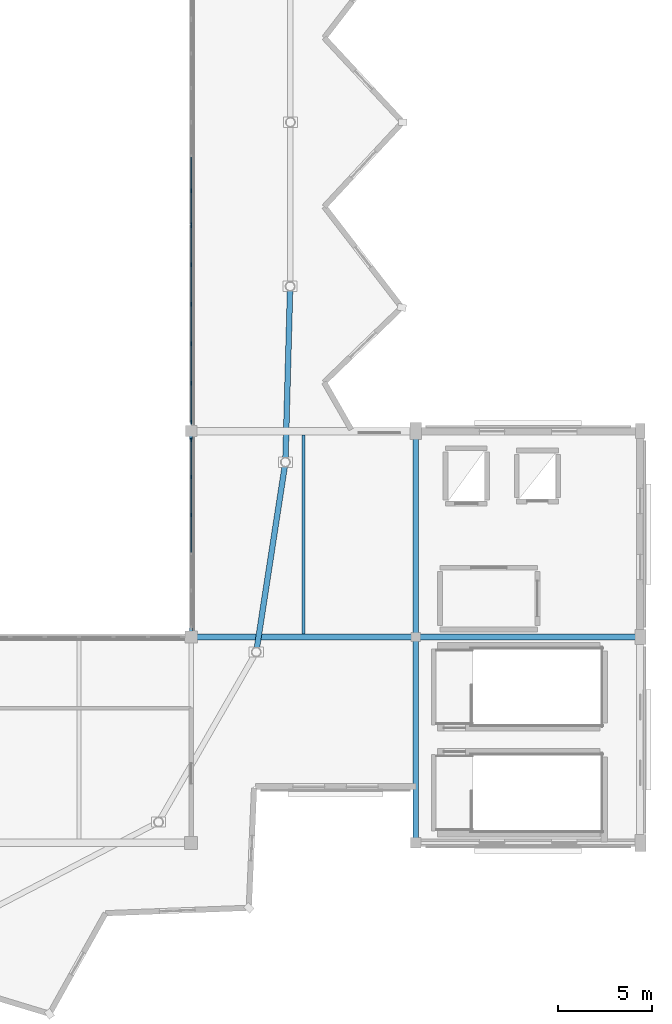
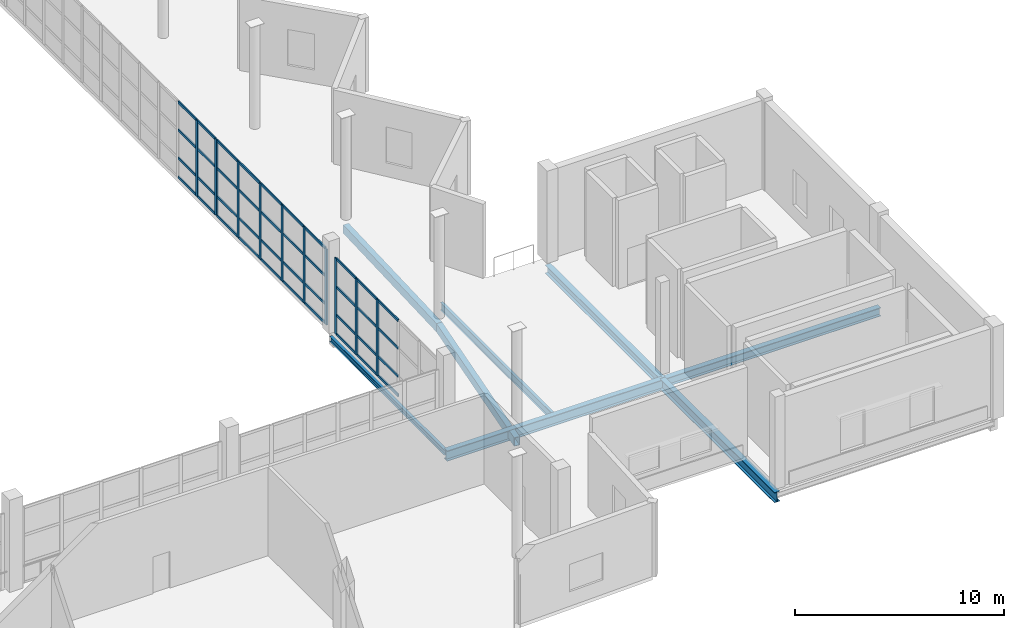
# One storey, part 19 of 49: 51 members, 8 beams, 3 elements without a shape of their own.
"""IFC4 building model written with IfcOpenShell, lengths in metres."""

from ifc_helpers import new_model, si_unit, direction, frame, origin, origin_2d, place, context, subcontext, project, spatial, rectangle, hollow_rectangle, i_section, extrude, material, material_profile, profile_set, type_object, element, aggregate, save


model = new_model("IFC4")

# Units and contexts
model_context = context("Model", 3, precision=1e-05, world=origin(), true_north=direction((0.0, 1.0)))
body_context = subcontext(model_context, "Body", "Model", "MODEL_VIEW")
ifc_project = project(units=[si_unit("LENGTHUNIT", "METRE"), si_unit("AREAUNIT", "SQUARE_METRE"), si_unit("VOLUMEUNIT", "CUBIC_METRE"), si_unit("PLANEANGLEUNIT", "RADIAN"), si_unit("MASSUNIT", "GRAM", prefix="KILO")], contexts=[model_context])

# Site, building, storey
site_placement = place(None, origin())
site = spatial("IfcSite", under=ifc_project, at=site_placement, CompositionType="ELEMENT")
building_placement = place(site_placement, origin())
building = spatial("IfcBuilding", under=site, at=building_placement, Name="Luwafu Chhajja Arena", CompositionType="ELEMENT")
storey_placement = place(building_placement, frame((0.0, 0.0, 24.300048828125)))
storey = spatial("IfcBuildingStorey", under=building, at=storey_placement, Name="L05", CompositionType="ELEMENT", Elevation=24.300048828125)

# Curtain wall, members
ifc_material_1 = material(Name="Anodised bronze aluminium", Category="aluminium")
curtain_wall_type = type_object("IfcCurtainWallType", Name="VIP Club Terrace Curtain Wall", PredefinedType="USERDEFINED", material=ifc_material_1)
curtain_wall_1_placement = place(storey_placement, origin())
curtain_wall_1 = element("IfcCurtainWall", 1, at=curtain_wall_1_placement, inside=storey, type_object=curtain_wall_type, Name="L05 Bowl Viewing Curtain Wall CWR-L05-20", ObjectType="CURTAIN WALL", PredefinedType="USERDEFINED")
ifc_material_profile_1 = material_profile(ifc_material_1, rectangle(XDim=0.06494140625, YDim=0.199951171875, at=origin_2d()), Name="CWM 65x200")
ifc_profile_set_1 = profile_set([ifc_material_profile_1], Name="Anodised bronze aluminium")
member_type_1 = type_object("IfcMemberType", Name="Bronze Curtain Wall Mullion 65x200", PredefinedType="MULLION", material=ifc_profile_set_1)
member_1_placement = place(storey_placement, frame((140.0, 28.52197265625, 0.0), z_axis=(0.0, 0.0, 1.0), x_axis=(-1.0, 0.0, 0.0)))
member_1 = element("IfcMember", 2, at=member_1_placement, type_object=member_type_1, Name="CW-10 mullion 4", PredefinedType="MULLION", context=body_context, shape_type="SweptSolid", body=[
    extrude(rectangle(XDim=0.06494140625, YDim=0.199951171875, at=origin_2d()), origin(), (0.0, 0.0, 1.0), 4.449951171875),
])
member_2_placement = place(storey_placement, frame((140.0, 30.541015625, 0.0), z_axis=(0.0, 0.0, 1.0), x_axis=(-1.0, 0.0, 0.0)))
member_2 = element("IfcMember", 3, at=member_2_placement, type_object=member_type_1, Name="CW-10 mullion 5", PredefinedType="MULLION", context=body_context, shape_type="SweptSolid", body=[
    extrude(rectangle(XDim=0.06494140625, YDim=0.199951171875, at=origin_2d()), origin(), (0.0, 0.0, 1.0), 4.449951171875),
])
member_3_placement = place(storey_placement, frame((140.0, 32.527587890625, 0.0), z_axis=(0.0, 0.0, 1.0), x_axis=(-1.0, 0.0, 0.0)))
member_3 = element("IfcMember", 4, at=member_3_placement, type_object=member_type_1, Name="CW-10 mullion 6", PredefinedType="MULLION", context=body_context, shape_type="SweptSolid", body=[
    extrude(rectangle(XDim=0.06494140625, YDim=0.199951171875, at=origin_2d()), origin(), (0.0, 0.0, 1.0), 4.449951171875),
])

curtain_wall_2_placement = place(storey_placement, origin())
curtain_wall_2 = element("IfcCurtainWall", 5, at=curtain_wall_2_placement, inside=storey, type_object=curtain_wall_type, Name="L05 Bowl Viewing Curtain Wall CWR-L05-21", ObjectType="CURTAIN WALL", PredefinedType="USERDEFINED")
member_4_placement = place(storey_placement, frame((140.0, 33.472412109375, 0.0), z_axis=(0.0, 0.0, 1.0), x_axis=(-1.0, 0.0, 0.0)))
member_4 = element("IfcMember", 6, at=member_4_placement, type_object=member_type_1, Name="CW-10 mullion 1", PredefinedType="MULLION", context=body_context, shape_type="SweptSolid", body=[
    extrude(rectangle(XDim=0.06494140625, YDim=0.199951171875, at=origin_2d()), origin(), (0.0, 0.0, 1.0), 4.449951171875),
])
member_5_placement = place(storey_placement, frame((140.0, 35.552001953125, 0.0), z_axis=(0.0, 0.0, 1.0), x_axis=(-1.0, 0.0, 0.0)))
member_5 = element("IfcMember", 7, at=member_5_placement, type_object=member_type_1, Name="CW-10 mullion 2", PredefinedType="MULLION", context=body_context, shape_type="SweptSolid", body=[
    extrude(rectangle(XDim=0.06494140625, YDim=0.199951171875, at=origin_2d()), origin(), (0.0, 0.0, 1.0), 4.449951171875),
])
member_6_placement = place(storey_placement, frame((140.0, 37.6640625, 0.0), z_axis=(0.0, 0.0, 1.0), x_axis=(-1.0, 0.0, 0.0)))
member_6 = element("IfcMember", 8, at=member_6_placement, type_object=member_type_1, Name="CW-10 mullion 3", PredefinedType="MULLION", context=body_context, shape_type="SweptSolid", body=[
    extrude(rectangle(XDim=0.06494140625, YDim=0.199951171875, at=origin_2d()), origin(), (0.0, 0.0, 1.0), 4.449951171875),
])
member_7_placement = place(storey_placement, frame((140.0, 39.77587890625, 0.0), z_axis=(0.0, 0.0, 1.0), x_axis=(-1.0, 0.0, 0.0)))
member_7 = element("IfcMember", 9, at=member_7_placement, type_object=member_type_1, Name="CW-10 mullion 4", PredefinedType="MULLION", context=body_context, shape_type="SweptSolid", body=[
    extrude(rectangle(XDim=0.06494140625, YDim=0.199951171875, at=origin_2d()), origin(), (0.0, 0.0, 1.0), 4.449951171875),
])
member_8_placement = place(storey_placement, frame((140.0, 41.887939453125, 0.0), z_axis=(0.0, 0.0, 1.0), x_axis=(-1.0, 0.0, 0.0)))
member_8 = element("IfcMember", 10, at=member_8_placement, type_object=member_type_1, Name="CW-10 mullion 5", PredefinedType="MULLION", context=body_context, shape_type="SweptSolid", body=[
    extrude(rectangle(XDim=0.06494140625, YDim=0.199951171875, at=origin_2d()), origin(), (0.0, 0.0, 1.0), 4.449951171875),
])
member_9_placement = place(storey_placement, frame((140.0, 43.967529296875, 0.0), z_axis=(0.0, 0.0, 1.0), x_axis=(-1.0, 0.0, 0.0)))
member_9 = element("IfcMember", 11, at=member_9_placement, type_object=member_type_1, Name="CW-10 mullion 6", PredefinedType="MULLION", context=body_context, shape_type="SweptSolid", body=[
    extrude(rectangle(XDim=0.06494140625, YDim=0.199951171875, at=origin_2d()), origin(), (0.0, 0.0, 1.0), 4.449951171875),
])

curtain_wall_3_placement = place(storey_placement, origin())
curtain_wall_3 = element("IfcCurtainWall", 12, at=curtain_wall_3_placement, inside=storey, type_object=curtain_wall_type, Name="L05 Bowl Viewing Curtain Wall CWR-L05-22", ObjectType="CURTAIN WALL", PredefinedType="USERDEFINED")
member_10_placement = place(storey_placement, frame((140.0, 44.032470703125, 0.0), z_axis=(0.0, 0.0, 1.0), x_axis=(-1.0, 0.0, 0.0)))
member_10 = element("IfcMember", 13, at=member_10_placement, type_object=member_type_1, Name="CW-10 mullion 1", PredefinedType="MULLION", context=body_context, shape_type="SweptSolid", body=[
    extrude(rectangle(XDim=0.06494140625, YDim=0.199951171875, at=origin_2d()), origin(), (0.0, 0.0, 1.0), 4.449951171875),
])
member_11_placement = place(storey_placement, frame((140.0, 45.833251953125, 0.0), z_axis=(0.0, 0.0, 1.0), x_axis=(-1.0, 0.0, 0.0)))
member_11 = element("IfcMember", 14, at=member_11_placement, type_object=member_type_1, Name="CW-10 mullion 2", PredefinedType="MULLION", context=body_context, shape_type="SweptSolid", body=[
    extrude(rectangle(XDim=0.06494140625, YDim=0.199951171875, at=origin_2d()), origin(), (0.0, 0.0, 1.0), 4.449951171875),
])

# Member
ifc_material_profile_2 = material_profile(ifc_material_1, rectangle(XDim=0.06494140625, YDim=0.14990234375, at=origin_2d()), Name="CWT 65x150")
ifc_profile_set_2 = profile_set([ifc_material_profile_2], Name="Anodised bronze aluminium")
member_type_2 = type_object("IfcMemberType", Name="Bronze Curtain Wall Transom 65x150", PredefinedType="USERDEFINED", material=ifc_profile_set_2)
member_12_placement = place(storey_placement, frame((140.0, 26.535400390625, 0.032470703125), z_axis=(0.0, 1.0, 0.0), x_axis=(-1.0, 0.0, 0.0)))
member_12 = element("IfcMember", 15, at=member_12_placement, type_object=member_type_2, Name="CW-10 transom 3.1", ObjectType="TRANSOM", PredefinedType="USERDEFINED", context=body_context, shape_type="SweptSolid", body=[
    extrude(rectangle(XDim=0.06494140625, YDim=0.14990234375, at=origin_2d()), origin(), (0.0, 0.0, 1.0), 1.9541015625),
])

member_13_placement = place(storey_placement, frame((140.0, 26.535400390625, 1.14990234375), z_axis=(0.0, 1.0, 0.0), x_axis=(-1.0, 0.0, 0.0)))
member_13 = element("IfcMember", 16, at=member_13_placement, type_object=member_type_2, Name="CW-10 transom 3.2", ObjectType="TRANSOM", PredefinedType="USERDEFINED", context=body_context, shape_type="SweptSolid", body=[
    extrude(rectangle(XDim=0.06494140625, YDim=0.14990234375, at=origin_2d()), origin(), (0.0, 0.0, 1.0), 1.9541015625),
])

member_14_placement = place(storey_placement, frame((140.0, 26.535400390625, 2.800048828125), z_axis=(0.0, 1.0, 0.0), x_axis=(-1.0, 0.0, 0.0)))
member_14 = element("IfcMember", 17, at=member_14_placement, type_object=member_type_2, Name="CW-10 transom 3.3", ObjectType="TRANSOM", PredefinedType="USERDEFINED", context=body_context, shape_type="SweptSolid", body=[
    extrude(rectangle(XDim=0.06494140625, YDim=0.14990234375, at=origin_2d()), origin(), (0.0, 0.0, 1.0), 1.9541015625),
])

member_15_placement = place(storey_placement, frame((140.0, 26.535400390625, 4.41748046875), z_axis=(0.0, 1.0, 0.0), x_axis=(-1.0, 0.0, 0.0)))
member_15 = element("IfcMember", 18, at=member_15_placement, type_object=member_type_2, Name="CW-10 transom 3.4", ObjectType="TRANSOM", PredefinedType="USERDEFINED", context=body_context, shape_type="SweptSolid", body=[
    extrude(rectangle(XDim=0.06494140625, YDim=0.14990234375, at=origin_2d()), origin(), (0.0, 0.0, 1.0), 1.9541015625),
])

member_16_placement = place(storey_placement, frame((140.0, 28.554443359375, 0.032470703125), z_axis=(0.0, 1.0, 0.0), x_axis=(-1.0, 0.0, 0.0)))
member_16 = element("IfcMember", 19, at=member_16_placement, type_object=member_type_2, Name="CW-10 transom 4.1", ObjectType="TRANSOM", PredefinedType="USERDEFINED", context=body_context, shape_type="SweptSolid", body=[
    extrude(rectangle(XDim=0.06494140625, YDim=0.14990234375, at=origin_2d()), origin(), (0.0, 0.0, 1.0), 1.9541015625),
])

member_17_placement = place(storey_placement, frame((140.0, 28.554443359375, 1.14990234375), z_axis=(0.0, 1.0, 0.0), x_axis=(-1.0, 0.0, 0.0)))
member_17 = element("IfcMember", 20, at=member_17_placement, type_object=member_type_2, Name="CW-10 transom 4.2", ObjectType="TRANSOM", PredefinedType="USERDEFINED", context=body_context, shape_type="SweptSolid", body=[
    extrude(rectangle(XDim=0.06494140625, YDim=0.14990234375, at=origin_2d()), origin(), (0.0, 0.0, 1.0), 1.9541015625),
])

member_18_placement = place(storey_placement, frame((140.0, 28.554443359375, 2.800048828125), z_axis=(0.0, 1.0, 0.0), x_axis=(-1.0, 0.0, 0.0)))
member_18 = element("IfcMember", 21, at=member_18_placement, type_object=member_type_2, Name="CW-10 transom 4.3", ObjectType="TRANSOM", PredefinedType="USERDEFINED", context=body_context, shape_type="SweptSolid", body=[
    extrude(rectangle(XDim=0.06494140625, YDim=0.14990234375, at=origin_2d()), origin(), (0.0, 0.0, 1.0), 1.9541015625),
])

member_19_placement = place(storey_placement, frame((140.0, 28.554443359375, 4.41748046875), z_axis=(0.0, 1.0, 0.0), x_axis=(-1.0, 0.0, 0.0)))
member_19 = element("IfcMember", 22, at=member_19_placement, type_object=member_type_2, Name="CW-10 transom 4.4", ObjectType="TRANSOM", PredefinedType="USERDEFINED", context=body_context, shape_type="SweptSolid", body=[
    extrude(rectangle(XDim=0.06494140625, YDim=0.14990234375, at=origin_2d()), origin(), (0.0, 0.0, 1.0), 1.9541015625),
])

member_20_placement = place(storey_placement, frame((140.0, 30.573486328125, 0.032470703125), z_axis=(0.0, 1.0, 0.0), x_axis=(-1.0, 0.0, 0.0)))
member_20 = element("IfcMember", 23, at=member_20_placement, type_object=member_type_2, Name="CW-10 transom 5.1", ObjectType="TRANSOM", PredefinedType="USERDEFINED", context=body_context, shape_type="SweptSolid", body=[
    extrude(rectangle(XDim=0.06494140625, YDim=0.14990234375, at=origin_2d()), origin(), (0.0, 0.0, 1.0), 1.921630859375),
])

member_21_placement = place(storey_placement, frame((140.0, 30.573486328125, 1.14990234375), z_axis=(0.0, 1.0, 0.0), x_axis=(-1.0, 0.0, 0.0)))
member_21 = element("IfcMember", 24, at=member_21_placement, type_object=member_type_2, Name="CW-10 transom 5.2", ObjectType="TRANSOM", PredefinedType="USERDEFINED", context=body_context, shape_type="SweptSolid", body=[
    extrude(rectangle(XDim=0.06494140625, YDim=0.14990234375, at=origin_2d()), origin(), (0.0, 0.0, 1.0), 1.921630859375),
])

member_22_placement = place(storey_placement, frame((140.0, 30.573486328125, 2.800048828125), z_axis=(0.0, 1.0, 0.0), x_axis=(-1.0, 0.0, 0.0)))
member_22 = element("IfcMember", 25, at=member_22_placement, type_object=member_type_2, Name="CW-10 transom 5.3", ObjectType="TRANSOM", PredefinedType="USERDEFINED", context=body_context, shape_type="SweptSolid", body=[
    extrude(rectangle(XDim=0.06494140625, YDim=0.14990234375, at=origin_2d()), origin(), (0.0, 0.0, 1.0), 1.921630859375),
])

member_23_placement = place(storey_placement, frame((140.0, 30.573486328125, 4.41748046875), z_axis=(0.0, 1.0, 0.0), x_axis=(-1.0, 0.0, 0.0)))
member_23 = element("IfcMember", 26, at=member_23_placement, type_object=member_type_2, Name="CW-10 transom 5.4", ObjectType="TRANSOM", PredefinedType="USERDEFINED", context=body_context, shape_type="SweptSolid", body=[
    extrude(rectangle(XDim=0.06494140625, YDim=0.14990234375, at=origin_2d()), origin(), (0.0, 0.0, 1.0), 1.921630859375),
])

aggregate(curtain_wall_1, [member_1, member_2, member_3, member_12, member_13, member_14, member_15, member_16, member_17, member_18, member_19, member_20, member_21, member_22, member_23])

member_24_placement = place(storey_placement, frame((140.0, 33.5048828125, 0.032470703125), z_axis=(0.0, 1.0, 0.0), x_axis=(-1.0, 0.0, 0.0)))
member_24 = element("IfcMember", 27, at=member_24_placement, type_object=member_type_2, Name="CW-10 transom 1.1", ObjectType="TRANSOM", PredefinedType="USERDEFINED", context=body_context, shape_type="SweptSolid", body=[
    extrude(rectangle(XDim=0.06494140625, YDim=0.14990234375, at=origin_2d()), origin(), (0.0, 0.0, 1.0), 2.0146484375),
])

member_25_placement = place(storey_placement, frame((140.0, 33.5048828125, 1.14990234375), z_axis=(0.0, 1.0, 0.0), x_axis=(-1.0, 0.0, 0.0)))
member_25 = element("IfcMember", 28, at=member_25_placement, type_object=member_type_2, Name="CW-10 transom 1.2", ObjectType="TRANSOM", PredefinedType="USERDEFINED", context=body_context, shape_type="SweptSolid", body=[
    extrude(rectangle(XDim=0.06494140625, YDim=0.14990234375, at=origin_2d()), origin(), (0.0, 0.0, 1.0), 2.0146484375),
])

member_26_placement = place(storey_placement, frame((140.0, 33.5048828125, 2.800048828125), z_axis=(0.0, 1.0, 0.0), x_axis=(-1.0, 0.0, 0.0)))
member_26 = element("IfcMember", 29, at=member_26_placement, type_object=member_type_2, Name="CW-10 transom 1.3", ObjectType="TRANSOM", PredefinedType="USERDEFINED", context=body_context, shape_type="SweptSolid", body=[
    extrude(rectangle(XDim=0.06494140625, YDim=0.14990234375, at=origin_2d()), origin(), (0.0, 0.0, 1.0), 2.0146484375),
])

member_27_placement = place(storey_placement, frame((140.0, 33.5048828125, 4.41748046875), z_axis=(0.0, 1.0, 0.0), x_axis=(-1.0, 0.0, 0.0)))
member_27 = element("IfcMember", 30, at=member_27_placement, type_object=member_type_2, Name="CW-10 transom 1.4", ObjectType="TRANSOM", PredefinedType="USERDEFINED", context=body_context, shape_type="SweptSolid", body=[
    extrude(rectangle(XDim=0.06494140625, YDim=0.14990234375, at=origin_2d()), origin(), (0.0, 0.0, 1.0), 2.0146484375),
])

member_28_placement = place(storey_placement, frame((140.0, 35.58447265625, 0.032470703125), z_axis=(0.0, 1.0, 0.0), x_axis=(-1.0, 0.0, 0.0)))
member_28 = element("IfcMember", 31, at=member_28_placement, type_object=member_type_2, Name="CW-10 transom 2.1", ObjectType="TRANSOM", PredefinedType="USERDEFINED", context=body_context, shape_type="SweptSolid", body=[
    extrude(rectangle(XDim=0.06494140625, YDim=0.14990234375, at=origin_2d()), origin(), (0.0, 0.0, 1.0), 2.047119140625),
])

member_29_placement = place(storey_placement, frame((140.0, 35.58447265625, 1.14990234375), z_axis=(0.0, 1.0, 0.0), x_axis=(-1.0, 0.0, 0.0)))
member_29 = element("IfcMember", 32, at=member_29_placement, type_object=member_type_2, Name="CW-10 transom 2.2", ObjectType="TRANSOM", PredefinedType="USERDEFINED", context=body_context, shape_type="SweptSolid", body=[
    extrude(rectangle(XDim=0.06494140625, YDim=0.14990234375, at=origin_2d()), origin(), (0.0, 0.0, 1.0), 2.047119140625),
])

member_30_placement = place(storey_placement, frame((140.0, 35.58447265625, 2.800048828125), z_axis=(0.0, 1.0, 0.0), x_axis=(-1.0, 0.0, 0.0)))
member_30 = element("IfcMember", 33, at=member_30_placement, type_object=member_type_2, Name="CW-10 transom 2.3", ObjectType="TRANSOM", PredefinedType="USERDEFINED", context=body_context, shape_type="SweptSolid", body=[
    extrude(rectangle(XDim=0.06494140625, YDim=0.14990234375, at=origin_2d()), origin(), (0.0, 0.0, 1.0), 2.047119140625),
])

member_31_placement = place(storey_placement, frame((140.0, 35.58447265625, 4.41748046875), z_axis=(0.0, 1.0, 0.0), x_axis=(-1.0, 0.0, 0.0)))
member_31 = element("IfcMember", 34, at=member_31_placement, type_object=member_type_2, Name="CW-10 transom 2.4", ObjectType="TRANSOM", PredefinedType="USERDEFINED", context=body_context, shape_type="SweptSolid", body=[
    extrude(rectangle(XDim=0.06494140625, YDim=0.14990234375, at=origin_2d()), origin(), (0.0, 0.0, 1.0), 2.047119140625),
])

member_32_placement = place(storey_placement, frame((140.0, 37.696533203125, 0.032470703125), z_axis=(0.0, 1.0, 0.0), x_axis=(-1.0, 0.0, 0.0)))
member_32 = element("IfcMember", 35, at=member_32_placement, type_object=member_type_2, Name="CW-10 transom 3.1", ObjectType="TRANSOM", PredefinedType="USERDEFINED", context=body_context, shape_type="SweptSolid", body=[
    extrude(rectangle(XDim=0.06494140625, YDim=0.14990234375, at=origin_2d()), origin(), (0.0, 0.0, 1.0), 2.046875),
])

member_33_placement = place(storey_placement, frame((140.0, 37.696533203125, 1.14990234375), z_axis=(0.0, 1.0, 0.0), x_axis=(-1.0, 0.0, 0.0)))
member_33 = element("IfcMember", 36, at=member_33_placement, type_object=member_type_2, Name="CW-10 transom 3.2", ObjectType="TRANSOM", PredefinedType="USERDEFINED", context=body_context, shape_type="SweptSolid", body=[
    extrude(rectangle(XDim=0.06494140625, YDim=0.14990234375, at=origin_2d()), origin(), (0.0, 0.0, 1.0), 2.046875),
])

member_34_placement = place(storey_placement, frame((140.0, 37.696533203125, 2.800048828125), z_axis=(0.0, 1.0, 0.0), x_axis=(-1.0, 0.0, 0.0)))
member_34 = element("IfcMember", 37, at=member_34_placement, type_object=member_type_2, Name="CW-10 transom 3.3", ObjectType="TRANSOM", PredefinedType="USERDEFINED", context=body_context, shape_type="SweptSolid", body=[
    extrude(rectangle(XDim=0.06494140625, YDim=0.14990234375, at=origin_2d()), origin(), (0.0, 0.0, 1.0), 2.046875),
])

member_35_placement = place(storey_placement, frame((140.0, 37.696533203125, 4.41748046875), z_axis=(0.0, 1.0, 0.0), x_axis=(-1.0, 0.0, 0.0)))
member_35 = element("IfcMember", 38, at=member_35_placement, type_object=member_type_2, Name="CW-10 transom 3.4", ObjectType="TRANSOM", PredefinedType="USERDEFINED", context=body_context, shape_type="SweptSolid", body=[
    extrude(rectangle(XDim=0.06494140625, YDim=0.14990234375, at=origin_2d()), origin(), (0.0, 0.0, 1.0), 2.046875),
])

member_36_placement = place(storey_placement, frame((140.0, 39.80859375, 0.032470703125), z_axis=(0.0, 1.0, 0.0), x_axis=(-1.0, 0.0, 0.0)))
member_36 = element("IfcMember", 39, at=member_36_placement, type_object=member_type_2, Name="CW-10 transom 4.1", ObjectType="TRANSOM", PredefinedType="USERDEFINED", context=body_context, shape_type="SweptSolid", body=[
    extrude(rectangle(XDim=0.06494140625, YDim=0.14990234375, at=origin_2d()), origin(), (0.0, 0.0, 1.0), 2.046875),
])

member_37_placement = place(storey_placement, frame((140.0, 39.80859375, 1.14990234375), z_axis=(0.0, 1.0, 0.0), x_axis=(-1.0, 0.0, 0.0)))
member_37 = element("IfcMember", 40, at=member_37_placement, type_object=member_type_2, Name="CW-10 transom 4.2", ObjectType="TRANSOM", PredefinedType="USERDEFINED", context=body_context, shape_type="SweptSolid", body=[
    extrude(rectangle(XDim=0.06494140625, YDim=0.14990234375, at=origin_2d()), origin(), (0.0, 0.0, 1.0), 2.046875),
])

member_38_placement = place(storey_placement, frame((140.0, 39.80859375, 2.800048828125), z_axis=(0.0, 1.0, 0.0), x_axis=(-1.0, 0.0, 0.0)))
member_38 = element("IfcMember", 41, at=member_38_placement, type_object=member_type_2, Name="CW-10 transom 4.3", ObjectType="TRANSOM", PredefinedType="USERDEFINED", context=body_context, shape_type="SweptSolid", body=[
    extrude(rectangle(XDim=0.06494140625, YDim=0.14990234375, at=origin_2d()), origin(), (0.0, 0.0, 1.0), 2.046875),
])

member_39_placement = place(storey_placement, frame((140.0, 39.80859375, 4.41748046875), z_axis=(0.0, 1.0, 0.0), x_axis=(-1.0, 0.0, 0.0)))
member_39 = element("IfcMember", 42, at=member_39_placement, type_object=member_type_2, Name="CW-10 transom 4.4", ObjectType="TRANSOM", PredefinedType="USERDEFINED", context=body_context, shape_type="SweptSolid", body=[
    extrude(rectangle(XDim=0.06494140625, YDim=0.14990234375, at=origin_2d()), origin(), (0.0, 0.0, 1.0), 2.046875),
])

member_40_placement = place(storey_placement, frame((140.0, 41.92041015625, 0.032470703125), z_axis=(0.0, 1.0, 0.0), x_axis=(-1.0, 0.0, 0.0)))
member_40 = element("IfcMember", 43, at=member_40_placement, type_object=member_type_2, Name="CW-10 transom 5.1", ObjectType="TRANSOM", PredefinedType="USERDEFINED", context=body_context, shape_type="SweptSolid", body=[
    extrude(rectangle(XDim=0.06494140625, YDim=0.14990234375, at=origin_2d()), origin(), (0.0, 0.0, 1.0), 2.0146484375),
])

member_41_placement = place(storey_placement, frame((140.0, 41.92041015625, 1.14990234375), z_axis=(0.0, 1.0, 0.0), x_axis=(-1.0, 0.0, 0.0)))
member_41 = element("IfcMember", 44, at=member_41_placement, type_object=member_type_2, Name="CW-10 transom 5.2", ObjectType="TRANSOM", PredefinedType="USERDEFINED", context=body_context, shape_type="SweptSolid", body=[
    extrude(rectangle(XDim=0.06494140625, YDim=0.14990234375, at=origin_2d()), origin(), (0.0, 0.0, 1.0), 2.0146484375),
])

member_42_placement = place(storey_placement, frame((140.0, 41.92041015625, 2.800048828125), z_axis=(0.0, 1.0, 0.0), x_axis=(-1.0, 0.0, 0.0)))
member_42 = element("IfcMember", 45, at=member_42_placement, type_object=member_type_2, Name="CW-10 transom 5.3", ObjectType="TRANSOM", PredefinedType="USERDEFINED", context=body_context, shape_type="SweptSolid", body=[
    extrude(rectangle(XDim=0.06494140625, YDim=0.14990234375, at=origin_2d()), origin(), (0.0, 0.0, 1.0), 2.0146484375),
])

member_43_placement = place(storey_placement, frame((140.0, 41.92041015625, 4.41748046875), z_axis=(0.0, 1.0, 0.0), x_axis=(-1.0, 0.0, 0.0)))
member_43 = element("IfcMember", 46, at=member_43_placement, type_object=member_type_2, Name="CW-10 transom 5.4", ObjectType="TRANSOM", PredefinedType="USERDEFINED", context=body_context, shape_type="SweptSolid", body=[
    extrude(rectangle(XDim=0.06494140625, YDim=0.14990234375, at=origin_2d()), origin(), (0.0, 0.0, 1.0), 2.0146484375),
])

aggregate(curtain_wall_2, [member_4, member_5, member_6, member_7, member_8, member_9, member_24, member_25, member_26, member_27, member_28, member_29, member_30, member_31, member_32, member_33, member_34, member_35, member_36, member_37, member_38, member_39, member_40, member_41, member_42, member_43])

member_44_placement = place(storey_placement, frame((140.0, 44.06494140625, 0.032470703125), z_axis=(0.0, 1.0, 0.0), x_axis=(-1.0, 0.0, 0.0)))
member_44 = element("IfcMember", 47, at=member_44_placement, type_object=member_type_2, Name="CW-10 transom 1.1", ObjectType="TRANSOM", PredefinedType="USERDEFINED", context=body_context, shape_type="SweptSolid", body=[
    extrude(rectangle(XDim=0.06494140625, YDim=0.14990234375, at=origin_2d()), origin(), (0.0, 0.0, 1.0), 1.73583984375),
])

member_45_placement = place(storey_placement, frame((140.0, 44.06494140625, 1.14990234375), z_axis=(0.0, 1.0, 0.0), x_axis=(-1.0, 0.0, 0.0)))
member_45 = element("IfcMember", 48, at=member_45_placement, type_object=member_type_2, Name="CW-10 transom 1.2", ObjectType="TRANSOM", PredefinedType="USERDEFINED", context=body_context, shape_type="SweptSolid", body=[
    extrude(rectangle(XDim=0.06494140625, YDim=0.14990234375, at=origin_2d()), origin(), (0.0, 0.0, 1.0), 1.73583984375),
])

member_46_placement = place(storey_placement, frame((140.0, 44.06494140625, 2.800048828125), z_axis=(0.0, 1.0, 0.0), x_axis=(-1.0, 0.0, 0.0)))
member_46 = element("IfcMember", 49, at=member_46_placement, type_object=member_type_2, Name="CW-10 transom 1.3", ObjectType="TRANSOM", PredefinedType="USERDEFINED", context=body_context, shape_type="SweptSolid", body=[
    extrude(rectangle(XDim=0.06494140625, YDim=0.14990234375, at=origin_2d()), origin(), (0.0, 0.0, 1.0), 1.73583984375),
])

member_47_placement = place(storey_placement, frame((140.0, 44.06494140625, 4.41748046875), z_axis=(0.0, 1.0, 0.0), x_axis=(-1.0, 0.0, 0.0)))
member_47 = element("IfcMember", 50, at=member_47_placement, type_object=member_type_2, Name="CW-10 transom 1.4", ObjectType="TRANSOM", PredefinedType="USERDEFINED", context=body_context, shape_type="SweptSolid", body=[
    extrude(rectangle(XDim=0.06494140625, YDim=0.14990234375, at=origin_2d()), origin(), (0.0, 0.0, 1.0), 1.73583984375),
])

member_48_placement = place(storey_placement, frame((140.0, 45.86572265625, 0.032470703125), z_axis=(0.0, 1.0, 0.0), x_axis=(-1.0, 0.0, 0.0)))
member_48 = element("IfcMember", 51, at=member_48_placement, type_object=member_type_2, Name="CW-10 transom 2.1", ObjectType="TRANSOM", PredefinedType="USERDEFINED", context=body_context, shape_type="SweptSolid", body=[
    extrude(rectangle(XDim=0.06494140625, YDim=0.14990234375, at=origin_2d()), origin(), (0.0, 0.0, 1.0), 1.7685546875),
])

member_49_placement = place(storey_placement, frame((140.0, 45.86572265625, 1.14990234375), z_axis=(0.0, 1.0, 0.0), x_axis=(-1.0, 0.0, 0.0)))
member_49 = element("IfcMember", 52, at=member_49_placement, type_object=member_type_2, Name="CW-10 transom 2.2", ObjectType="TRANSOM", PredefinedType="USERDEFINED", context=body_context, shape_type="SweptSolid", body=[
    extrude(rectangle(XDim=0.06494140625, YDim=0.14990234375, at=origin_2d()), origin(), (0.0, 0.0, 1.0), 1.7685546875),
])

member_50_placement = place(storey_placement, frame((140.0, 45.86572265625, 2.800048828125), z_axis=(0.0, 1.0, 0.0), x_axis=(-1.0, 0.0, 0.0)))
member_50 = element("IfcMember", 53, at=member_50_placement, type_object=member_type_2, Name="CW-10 transom 2.3", ObjectType="TRANSOM", PredefinedType="USERDEFINED", context=body_context, shape_type="SweptSolid", body=[
    extrude(rectangle(XDim=0.06494140625, YDim=0.14990234375, at=origin_2d()), origin(), (0.0, 0.0, 1.0), 1.7685546875),
])

member_51_placement = place(storey_placement, frame((140.0, 45.86572265625, 4.41748046875), z_axis=(0.0, 1.0, 0.0), x_axis=(-1.0, 0.0, 0.0)))
member_51 = element("IfcMember", 54, at=member_51_placement, type_object=member_type_2, Name="CW-10 transom 2.4", ObjectType="TRANSOM", PredefinedType="USERDEFINED", context=body_context, shape_type="SweptSolid", body=[
    extrude(rectangle(XDim=0.06494140625, YDim=0.14990234375, at=origin_2d()), origin(), (0.0, 0.0, 1.0), 1.7685546875),
])

aggregate(curtain_wall_3, [member_10, member_11, member_44, member_45, member_46, member_47, member_48, member_49, member_50, member_51])

# Beams
ifc_material_2 = material(Name="Steel S355", Category="steel")
ifc_material_profile_3 = material_profile(ifc_material_2, i_section(OverallWidth=0.165771484375, OverallDepth=0.306640625, WebThickness=0.006591796875, FlangeThickness=0.01171875, at=origin_2d()), Name="UB 305x165x46")
ifc_profile_set_3 = profile_set([ifc_material_profile_3], Name="Steel S355")
beam_type_1 = type_object("IfcBeamType", Name="Concourse Edge Spandrel Beam UB 305x165x46", PredefinedType="SPANDREL", material=ifc_profile_set_3)
beam_1_placement = place(storey_placement, frame((140.0, 22.0, -0.54345703125), z_axis=(0.0, 1.0, 0.0), x_axis=(-1.0, 0.0, 0.0)))
element("IfcBeam", 55, at=beam_1_placement, inside=storey, type_object=beam_type_1, Name="L05 Grid Beam 13/C-D", PredefinedType="SPANDREL", context=body_context, shape_type="SweptSolid", body=[
    extrude(i_section(OverallWidth=0.165771484375, OverallDepth=0.306640625, WebThickness=0.006591796875, FlangeThickness=0.01171875, at=origin_2d()), origin(), (0.0, 0.0, 1.0), 11.0),
])
ifc_material_profile_4 = material_profile(ifc_material_2, i_section(OverallWidth=0.15283203125, OverallDepth=0.45458984375, WebThickness=0.008056640625, FlangeThickness=0.01318359375, at=origin_2d()), Name="UB 457x152x60")
ifc_profile_set_4 = profile_set([ifc_material_profile_4], Name="Steel S355")
beam_type_2 = type_object("IfcBeamType", Name="Floor Joist UB 457x152x60", PredefinedType="JOIST", material=ifc_profile_set_4)
beam_2_placement = place(storey_placement, frame((146.0, 22.14990234375, -0.617431640625), z_axis=(0.0, 1.0, 0.0), x_axis=(-1.0, 0.0, 0.0)))
element("IfcBeam", 56, at=beam_2_placement, inside=storey, type_object=beam_type_2, Name="L05 Secondary Joist 13-14/C", PredefinedType="JOIST", context=body_context, shape_type="SweptSolid", body=[
    extrude(i_section(OverallWidth=0.15283203125, OverallDepth=0.45458984375, WebThickness=0.008056640625, FlangeThickness=0.01318359375, at=origin_2d()), origin(), (0.0, 0.0, 1.0), 10.650146484375),
])
ifc_material_profile_5 = material_profile(ifc_material_2, hollow_rectangle(XDim=0.300048828125, YDim=0.5, WallThickness=0.02001953125, at=origin_2d()), Name="RHS 500x300x20")
ifc_profile_set_5 = profile_set([ifc_material_profile_5], Name="Steel S355")
beam_type_3 = type_object("IfcBeamType", Name="Pleated Drum Spandrel Beam RHS 500x300", PredefinedType="SPANDREL", material=ifc_profile_set_5)
beam_3_placement = place(storey_placement, frame((143.47607421875, 21.194091796875, -0.64013671875), z_axis=(0.1515977802, 0.988442265911, 0.0), x_axis=(-0.988442265911, 0.1515977802, 0.0)))
element("IfcBeam", 57, at=beam_3_placement, inside=storey, type_object=beam_type_3, Name="L05 Drum Ring Spandrel D30-D31", PredefinedType="SPANDREL", context=body_context, shape_type="SweptSolid", body=[
    extrude(hollow_rectangle(XDim=0.300048828125, YDim=0.5, WallThickness=0.02001953125, at=origin_2d()), origin(), (0.0, 0.0, 1.0), 10.263427734375),
])
beam_4_placement = place(storey_placement, frame((145.031982421875, 31.3388671875, -0.64013671875), z_axis=(0.02720805866, 0.999629792245, 0.0), x_axis=(-0.999629792245, 0.02720805866, 0.0)))
element("IfcBeam", 58, at=beam_4_placement, inside=storey, type_object=beam_type_3, Name="L05 Drum Ring Spandrel D31-D32", PredefinedType="SPANDREL", context=body_context, shape_type="SweptSolid", body=[
    extrude(hollow_rectangle(XDim=0.300048828125, YDim=0.5, WallThickness=0.02001953125, at=origin_2d()), origin(), (0.0, 0.0, 1.0), 9.394775390625),
])
ifc_material_profile_6 = material_profile(ifc_material_2, i_section(OverallWidth=0.300048828125, OverallDepth=0.5, WebThickness=0.014404296875, FlangeThickness=0.028076171875, at=origin_2d()), Name="HEB 500")
ifc_profile_set_6 = profile_set([ifc_material_profile_6], Name="Steel S355")
beam_type_4 = type_object("IfcBeamType", Name="Steel Atrium Tie Girder HEB 500", PredefinedType="BEAM", material=ifc_profile_set_6)
beam_5_placement = place(storey_placement, frame((152.0, 22.0, -0.64013671875), z_axis=(1.0, 0.0, 0.0), x_axis=(0.0, 1.0, 0.0)))
element("IfcBeam", 59, at=beam_5_placement, inside=storey, type_object=beam_type_4, Name="L05 Grid Beam 14-15/C", PredefinedType="BEAM", context=body_context, shape_type="SweptSolid", body=[
    extrude(i_section(OverallWidth=0.300048828125, OverallDepth=0.5, WebThickness=0.014404296875, FlangeThickness=0.028076171875, at=origin_2d()), origin(), (0.0, 0.0, 1.0), 12.0),
])
beam_6_placement = place(storey_placement, frame((152.0, 22.0, -0.64013671875), z_axis=(0.0, 1.0, 0.0), x_axis=(-1.0, 0.0, 0.0)))
element("IfcBeam", 60, at=beam_6_placement, inside=storey, type_object=beam_type_4, Name="L05 Grid Beam 14/C-D", PredefinedType="BEAM", context=body_context, shape_type="SweptSolid", body=[
    extrude(i_section(OverallWidth=0.300048828125, OverallDepth=0.5, WebThickness=0.014404296875, FlangeThickness=0.028076171875, at=origin_2d()), origin(), (0.0, 0.0, 1.0), 11.0),
])
ifc_material_profile_7 = material_profile(ifc_material_2, i_section(OverallWidth=0.300048828125, OverallDepth=0.60009765625, WebThickness=0.015380859375, FlangeThickness=0.030029296875, at=origin_2d()), Name="HEB 600")
ifc_profile_set_7 = profile_set([ifc_material_profile_7], Name="Steel S355")
beam_type_5 = type_object("IfcBeamType", Name="Steel Gallery Girder HEB 600", PredefinedType="BEAM", material=ifc_profile_set_7)
beam_7_placement = place(storey_placement, frame((140.0, 22.0, -0.68994140625), z_axis=(1.0, 0.0, 0.0), x_axis=(0.0, 1.0, 0.0)))
element("IfcBeam", 61, at=beam_7_placement, inside=storey, type_object=beam_type_5, Name="L05 Grid Beam 13-14/C", PredefinedType="BEAM", context=body_context, shape_type="SweptSolid", body=[
    extrude(i_section(OverallWidth=0.300048828125, OverallDepth=0.60009765625, WebThickness=0.015380859375, FlangeThickness=0.030029296875, at=origin_2d()), origin(), (0.0, 0.0, 1.0), 12.0),
])
beam_8_placement = place(storey_placement, frame((152.0, 11.0, -0.68994140625), z_axis=(0.0, 1.0, 0.0), x_axis=(-1.0, 0.0, 0.0)))
element("IfcBeam", 62, at=beam_8_placement, inside=storey, type_object=beam_type_5, Name="L05 Grid Beam 14/B-C", PredefinedType="BEAM", context=body_context, shape_type="SweptSolid", body=[
    extrude(i_section(OverallWidth=0.300048828125, OverallDepth=0.60009765625, WebThickness=0.015380859375, FlangeThickness=0.030029296875, at=origin_2d()), origin(), (0.0, 0.0, 1.0), 11.0),
])

save(model, "model.ifc")
